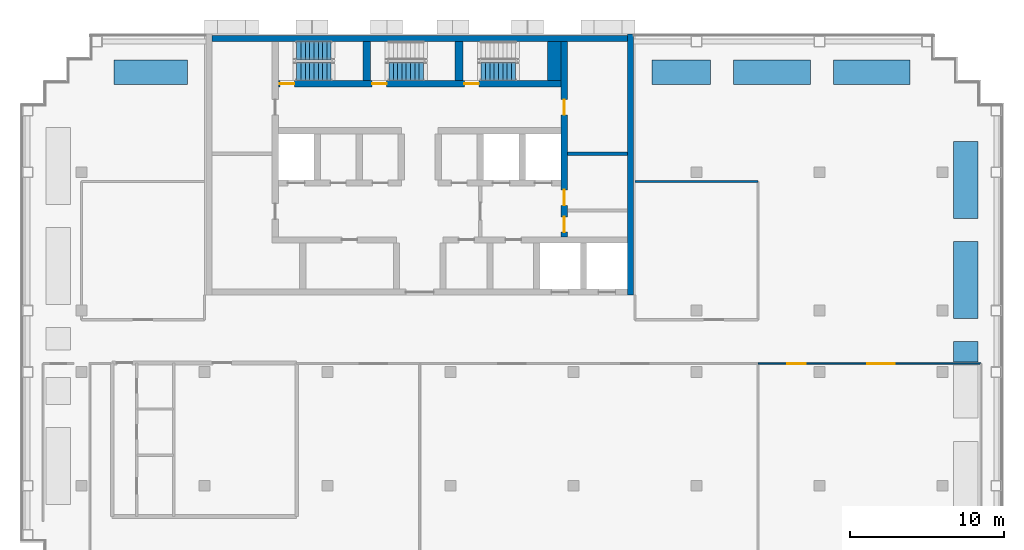
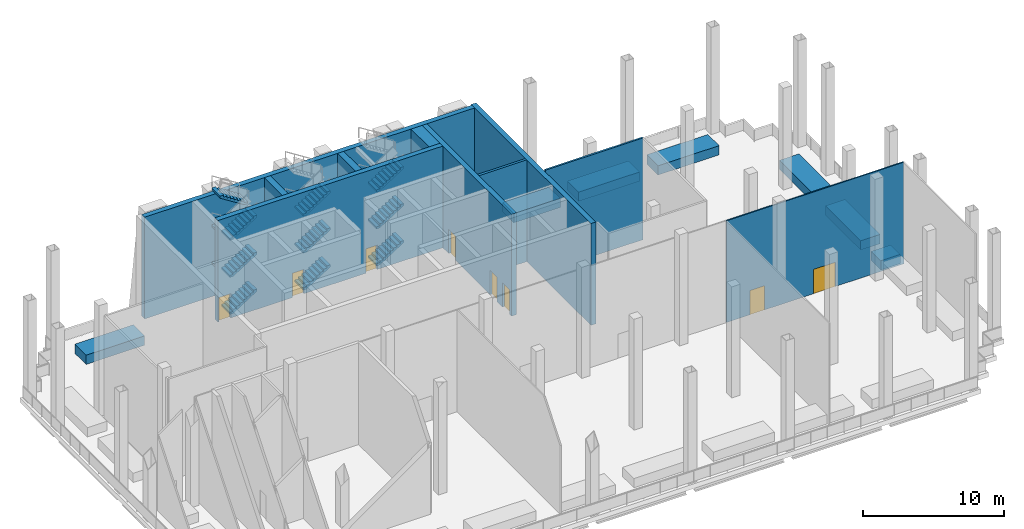
# One storey, part 4 of 9: 17 walls, 12 stair flights, 8 doors, 8 openings, 3 elements without a shape of their own.
"""IFC4 building model written with IfcOpenShell, lengths in metres."""

from ifc_helpers import new_model, si_unit, direction, frame, frame_2d, origin, place, context, subcontext, project, spatial, polyline, rectangle, outline, extrude, material, layer, layer_set, type_object, element, fill, aggregate, save


model = new_model("IFC4")

# Units and contexts
model_context = context("Model", 3, precision=1e-05, world=origin(), true_north=direction((0.0, 1.0)))
body_context = subcontext(model_context, "Body", "Model", "MODEL_VIEW")
ifc_project = project(units=[si_unit("LENGTHUNIT", "METRE"), si_unit("AREAUNIT", "SQUARE_METRE"), si_unit("VOLUMEUNIT", "CUBIC_METRE"), si_unit("PLANEANGLEUNIT", "RADIAN"), si_unit("MASSUNIT", "GRAM", prefix="KILO")], contexts=[model_context])

# Site, building, storey
site_placement = place(None, origin())
site = spatial("IfcSite", under=ifc_project, at=site_placement, CompositionType="ELEMENT")
building_placement = place(site_placement, origin())
building = spatial("IfcBuilding", under=site, at=building_placement, Name="Vidyagriha Tower", CompositionType="ELEMENT")
storey_placement = place(building_placement, frame((0.0, 0.0, 194.10009765625)))
storey = spatial("IfcBuildingStorey", under=building, at=storey_placement, Name="L51", CompositionType="ELEMENT", Elevation=194.10009765625)

# Walls
ifc_material_1 = material(Name="Precast concrete C40/50 with brick facing", Category="concrete")
ifc_layer_1 = layer(ifc_material_1, 1.60009765625)
ifc_layer_set_1 = layer_set([ifc_layer_1], Name="Precast concrete C40/50 with brick facing")
wall_type_1 = type_object("IfcWallType", Name="Brick planter box 1600", PredefinedType="STANDARD", material=ifc_layer_set_1)
for number, where, z_axis, x_axis, name in (
    (1, (31.89990234375, 17.5, 0.0), (0.0, 0.0, 1.0), (-1.0, 0.0, 0.0), "PLANTER L51 1"),
    (2, (25.39990234375, 17.5, 0.0), (0.0, 0.0, 1.0), (-1.0, 0.0, 0.0), "PLANTER L51 2"),
):
    element("IfcWall", number, at=place(storey_placement, frame(where, z_axis=z_axis, x_axis=x_axis)), inside=storey, type_object=wall_type_1, Name=name, PredefinedType="STANDARD", context=body_context, shape_type="SweptSolid", body=[
        extrude(rectangle(XDim=5.0, YDim=1.60009765625, at=frame_2d((2.5, 0.0))), origin(), (0.0, 0.0, 1.0), 0.7998046875),
    ])
wall_1_placement = place(storey_placement, frame((18.89990234375, 17.5, 0.0), z_axis=(0.0, 0.0, 1.0), x_axis=(-1.0, 0.0, 0.0)))
element("IfcWall", 3, at=wall_1_placement, inside=storey, type_object=wall_type_1, Name="PLANTER L51 3", PredefinedType="STANDARD", context=body_context, shape_type="SweptSolid", body=[
    extrude(rectangle(XDim=3.7998046875, YDim=1.60009765625, at=frame_2d((1.89990234375, 0.0))), origin(), (0.0, 0.0, 1.0), 0.7998046875),
])
wall_2_placement = place(storey_placement, frame((-15.10009765625, 17.5, 0.0), z_axis=(0.0, 0.0, 1.0), x_axis=(-1.0, 0.0, 0.0)))
element("IfcWall", 4, at=wall_2_placement, inside=storey, type_object=wall_type_1, Name="PLANTER L51 4", PredefinedType="STANDARD", context=body_context, shape_type="SweptSolid", body=[
    extrude(rectangle(XDim=4.7998046875, YDim=1.60009765625, at=frame_2d((2.39990234375, 0.0))), origin(), (0.0, 0.0, 1.0), 0.7998046875),
])
for number, where, z_axis, x_axis, name in (
    (5, (35.5, 1.5, 0.0), (0.0, 0.0, 1.0), (0.0, 1.0, 0.0), "PLANTER L51 19"),
    (6, (35.5, 8.0, 0.0), (0.0, 0.0, 1.0), (0.0, 1.0, 0.0), "PLANTER L51 20"),
):
    element("IfcWall", number, at=place(storey_placement, frame(where, z_axis=z_axis, x_axis=x_axis)), inside=storey, type_object=wall_type_1, Name=name, PredefinedType="STANDARD", context=body_context, shape_type="SweptSolid", body=[
        extrude(rectangle(XDim=5.0, YDim=1.60009765625, at=frame_2d((2.5, 0.0))), origin(), (0.0, 0.0, 1.0), 0.7998046875),
    ])
wall_3_placement = place(storey_placement, frame((35.5, -1.35009765625, 0.0), z_axis=(0.0, 0.0, 1.0), x_axis=(0.0, 1.0, 0.0)))
element("IfcWall", 7, at=wall_3_placement, inside=storey, type_object=wall_type_1, Name="PLANTER L51 18", PredefinedType="STANDARD", context=body_context, shape_type="SweptSolid", body=[
    extrude(rectangle(XDim=1.35009765625, YDim=1.60009765625, at=frame_2d((0.675048828125, 0.0))), origin(), (0.0, 0.0, 1.0), 0.7998046875),
])
ifc_material_2 = material(Name="Concrete C60/75", Category="concrete")
ifc_layer_2 = layer(ifc_material_2, 0.39990234375)
ifc_layer_set_2 = layer_set([ifc_layer_2], Name="Concrete C60/75")
wall_type_2 = type_object("IfcWallType", Name="Core shear wall 400 mm", PredefinedType="SHEAR", material=ifc_layer_set_2)
wall_4_placement = place(storey_placement, frame((13.699951171875, 3.0, 0.0), z_axis=(0.0, 0.0, 1.0), x_axis=(0.0, 1.0, 0.0)))
element("IfcWall", 8, at=wall_4_placement, inside=storey, type_object=wall_type_2, Name="Core east wall", PredefinedType="SHEAR", context=body_context, shape_type="SweptSolid", body=[
    extrude(rectangle(XDim=17.0, YDim=0.39990234375, at=frame_2d((8.5, 0.0))), origin(), (0.0, 0.0, 1.0), 8.7998046875),
])
wall_5_placement = place(storey_placement, frame((-13.5, 19.699951171875, 0.0)))
element("IfcWall", 9, at=wall_5_placement, inside=storey, type_object=wall_type_2, Name="Core north wall", PredefinedType="SHEAR", context=body_context, shape_type="SweptSolid", body=[
    extrude(rectangle(XDim=27.0, YDim=0.39990234375, at=frame_2d((13.5, 0.0))), origin(), (0.0, 0.0, 1.0), 8.7998046875),
])

# Wall, openings, doors
wall_6_placement = place(storey_placement, frame((9.39990234375, 6.800048828125, 0.0), z_axis=(0.0, 0.0, 1.0), x_axis=(0.0, 1.0, 0.0)))
wall_6 = element("IfcWall", 10, at=wall_6_placement, inside=storey, type_object=wall_type_2, Name="Core east spine wall", PredefinedType="SHEAR", context=body_context, shape_type="SweptSolid", body=[
    extrude(rectangle(XDim=12.699951171875, YDim=0.39990234375, at=frame_2d((6.35009765625, 0.0))), origin(), (0.0, 0.0, 1.0), 8.7998046875),
])
opening_1_placement = place(wall_6_placement, frame((0.300048828125, 0.0, 0.0)))
opening_1 = element("IfcOpeningElement", 11, at=opening_1_placement, cuts=wall_6, Name="Opening D51-14", PredefinedType="OPENING", context=body_context, shape_type="SweptSolid", body=[
    extrude(rectangle(XDim=1.0, YDim=2.10009765625, at=frame_2d((0.5, 1.050048828125))), frame((0.0, 0.2099609375, 0.0), z_axis=(0.0, -1.0, 0.0), x_axis=(1.0, 0.0, 0.0)), (0.0, 0.0, 1.0), 0.419921875),
])
opening_2_placement = place(wall_6_placement, frame((2.050048828125, 0.0, 0.0)))
opening_2 = element("IfcOpeningElement", 12, at=opening_2_placement, cuts=wall_6, Name="Opening D51-15", PredefinedType="OPENING", context=body_context, shape_type="SweptSolid", body=[
    extrude(rectangle(XDim=1.0, YDim=2.10009765625, at=frame_2d((0.5, 1.050048828125))), frame((0.0, 0.2099609375, 0.0), z_axis=(0.0, -1.0, 0.0), x_axis=(1.0, 0.0, 0.0)), (0.0, 0.0, 1.0), 0.419921875),
])
opening_3_placement = place(wall_6_placement, frame((7.925048828125, 0.0, 0.0)))
opening_3 = element("IfcOpeningElement", 13, at=opening_3_placement, cuts=wall_6, Name="Opening D51-16", PredefinedType="OPENING", context=body_context, shape_type="SweptSolid", body=[
    extrude(rectangle(XDim=1.0, YDim=2.10009765625, at=frame_2d((0.5, 1.050048828125))), frame((0.0, 0.2099609375, 0.0), z_axis=(0.0, -1.0, 0.0), x_axis=(1.0, 0.0, 0.0)), (0.0, 0.0, 1.0), 0.419921875),
])
ifc_material_3 = material(Name="Hollow metal door leaf")
door_type_1 = type_object("IfcDoorType", Name="Core room door 1000 x 2100 mm EI 60", OperationType="NOTDEFINED", PredefinedType="DOOR", material=ifc_material_3)
door_1_placement = place(opening_1_placement, origin())
door_1 = element("IfcDoor", 14, at=door_1_placement, inside=storey, type_object=door_type_1, Name="Door Communications Room 51.E1", OperationType="SINGLE_SWING_RIGHT", OverallHeight=2.10009765625, OverallWidth=1.0, PredefinedType="DOOR", context=body_context, shape_type="SweptSolid", body=[
    extrude(rectangle(XDim=1.0, YDim=2.10009765625, at=frame_2d((0.5, 1.050048828125))), frame((0.0, 0.02490234375, 0.0), z_axis=(0.0, -1.0, 0.0), x_axis=(1.0, 0.0, 0.0)), (0.0, 0.0, 1.0), 0.050048828125),
])
fill(opening_1, door_1)
door_2_placement = place(opening_2_placement, origin())
door_2 = element("IfcDoor", 15, at=door_2_placement, inside=storey, type_object=door_type_1, Name="Door Pressurisation Plant Room 51.E2", OperationType="SINGLE_SWING_LEFT", OverallHeight=2.10009765625, OverallWidth=1.0, PredefinedType="DOOR", context=body_context, shape_type="SweptSolid", body=[
    extrude(rectangle(XDim=1.0, YDim=2.10009765625, at=frame_2d((0.5, 1.050048828125))), frame((0.0, 0.02490234375, 0.0), z_axis=(0.0, -1.0, 0.0), x_axis=(1.0, 0.0, 0.0)), (0.0, 0.0, 1.0), 0.050048828125),
])
fill(opening_2, door_2)
door_3_placement = place(opening_3_placement, origin())
door_3 = element("IfcDoor", 16, at=door_3_placement, inside=storey, type_object=door_type_1, Name="Door Switchgear Room 51.E3", OperationType="SINGLE_SWING_LEFT", OverallHeight=2.10009765625, OverallWidth=1.0, PredefinedType="DOOR", context=body_context, shape_type="SweptSolid", body=[
    extrude(rectangle(XDim=1.0, YDim=2.10009765625, at=frame_2d((0.5, 1.050048828125))), frame((0.0, 0.02490234375, 0.0), z_axis=(0.0, -1.0, 0.0), x_axis=(1.0, 0.0, 0.0)), (0.0, 0.0, 1.0), 0.050048828125),
])
fill(opening_3, door_3)

wall_7_placement = place(storey_placement, frame((-9.199951171875, 16.75, 0.0)))
wall_7 = element("IfcWall", 17, at=wall_7_placement, inside=storey, type_object=wall_type_2, Name="Stair front wall", PredefinedType="SHEAR", context=body_context, shape_type="SweptSolid", body=[
    extrude(rectangle(XDim=18.39990234375, YDim=0.39990234375, at=frame_2d((9.199951171875, 0.0))), origin(), (0.0, 0.0, 1.0), 8.7998046875),
])
opening_4_placement = place(wall_7_placement, frame((0.10009765625, 0.0, 0.0)))
opening_4 = element("IfcOpeningElement", 18, at=opening_4_placement, cuts=wall_7, Name="Opening D51-09", PredefinedType="OPENING", context=body_context, shape_type="SweptSolid", body=[
    extrude(rectangle(XDim=0.949951171875, YDim=2.10009765625, at=frame_2d((0.47509765625, 1.050048828125))), frame((0.0, 0.2099609375, 0.0), z_axis=(0.0, -1.0, 0.0), x_axis=(1.0, 0.0, 0.0)), (0.0, 0.0, 1.0), 0.419921875),
])
opening_5_placement = place(wall_7_placement, frame((6.10009765625, 0.0, 0.0)))
opening_5 = element("IfcOpeningElement", 19, at=opening_5_placement, cuts=wall_7, Name="Opening D51-10", PredefinedType="OPENING", context=body_context, shape_type="SweptSolid", body=[
    extrude(rectangle(XDim=0.949951171875, YDim=2.10009765625, at=frame_2d((0.47509765625, 1.050048828125))), frame((0.0, 0.2099609375, 0.0), z_axis=(0.0, -1.0, 0.0), x_axis=(1.0, 0.0, 0.0)), (0.0, 0.0, 1.0), 0.419921875),
])
opening_6_placement = place(wall_7_placement, frame((12.10009765625, 0.0, 0.0)))
opening_6 = element("IfcOpeningElement", 20, at=opening_6_placement, cuts=wall_7, Name="Opening D51-11", PredefinedType="OPENING", context=body_context, shape_type="SweptSolid", body=[
    extrude(rectangle(XDim=0.949951171875, YDim=2.10009765625, at=frame_2d((0.47509765625, 1.050048828125))), frame((0.0, 0.2099609375, 0.0), z_axis=(0.0, -1.0, 0.0), x_axis=(1.0, 0.0, 0.0)), (0.0, 0.0, 1.0), 0.419921875),
])
ifc_material_4 = material(Name="Hollow metal door leaf")
door_type_2 = type_object("IfcDoorType", Name="Exit stair door 950 x 2100 mm EI 90", OperationType="NOTDEFINED", PredefinedType="DOOR", material=ifc_material_4)
door_4_placement = place(opening_4_placement, origin())
door_4 = element("IfcDoor", 21, at=door_4_placement, inside=storey, type_object=door_type_2, Name="Stair door ST1 L51", OperationType="SINGLE_SWING_LEFT", OverallHeight=2.10009765625, OverallWidth=0.949951171875, PredefinedType="DOOR", context=body_context, shape_type="SweptSolid", body=[
    extrude(rectangle(XDim=0.949951171875, YDim=2.10009765625, at=frame_2d((0.47509765625, 1.050048828125))), frame((0.0, 0.02490234375, 0.0), z_axis=(0.0, -1.0, 0.0), x_axis=(1.0, 0.0, 0.0)), (0.0, 0.0, 1.0), 0.050048828125),
])
fill(opening_4, door_4)
door_5_placement = place(opening_5_placement, origin())
door_5 = element("IfcDoor", 22, at=door_5_placement, inside=storey, type_object=door_type_2, Name="Stair door ST2 L51", OperationType="SINGLE_SWING_LEFT", OverallHeight=2.10009765625, OverallWidth=0.949951171875, PredefinedType="DOOR", context=body_context, shape_type="SweptSolid", body=[
    extrude(rectangle(XDim=0.949951171875, YDim=2.10009765625, at=frame_2d((0.47509765625, 1.050048828125))), frame((0.0, 0.02490234375, 0.0), z_axis=(0.0, -1.0, 0.0), x_axis=(1.0, 0.0, 0.0)), (0.0, 0.0, 1.0), 0.050048828125),
])
fill(opening_5, door_5)
door_6_placement = place(opening_6_placement, origin())
door_6 = element("IfcDoor", 23, at=door_6_placement, inside=storey, type_object=door_type_2, Name="Stair door ST3 L51", OperationType="SINGLE_SWING_LEFT", OverallHeight=2.10009765625, OverallWidth=0.949951171875, PredefinedType="DOOR", context=body_context, shape_type="SweptSolid", body=[
    extrude(rectangle(XDim=0.949951171875, YDim=2.10009765625, at=frame_2d((0.47509765625, 1.050048828125))), frame((0.0, 0.02490234375, 0.0), z_axis=(0.0, -1.0, 0.0), x_axis=(1.0, 0.0, 0.0)), (0.0, 0.0, 1.0), 0.050048828125),
])
fill(opening_6, door_6)

# Walls
ifc_material_5 = material(Name="Concrete C60/75", Category="concrete")
ifc_layer_3 = layer(ifc_material_5, 0.5)
ifc_layer_set_3 = layer_set([ifc_layer_3], Name="Concrete C60/75")
wall_type_3 = type_object("IfcWallType", Name="Core shear wall 500 mm", PredefinedType="SHEAR", material=ifc_layer_set_3)
for number, where, z_axis, x_axis, name in (
    (24, (-3.449951171875, 16.949951171875, 0.0), (0.0, 0.0, 1.0), (0.0, 1.0, 0.0), "Stair partition wall 1"),
    (25, (2.550048828125, 16.949951171875, 0.0), (0.0, 0.0, 1.0), (0.0, 1.0, 0.0), "Stair partition wall 2"),
):
    element("IfcWall", number, at=place(storey_placement, frame(where, z_axis=z_axis, x_axis=x_axis)), inside=storey, type_object=wall_type_3, Name=name, PredefinedType="SHEAR", context=body_context, shape_type="SweptSolid", body=[
        extrude(rectangle(XDim=2.550048828125, YDim=0.5, at=frame_2d((1.27490234375, 0.0))), origin(), (0.0, 0.0, 1.0), 8.7998046875),
    ])
ifc_material_6 = material(Name="Concrete C60/75", Category="concrete")
ifc_layer_4 = layer(ifc_material_6, 0.89990234375)
ifc_layer_set_4 = layer_set([ifc_layer_4], Name="Concrete C60/75")
wall_type_4 = type_object("IfcWallType", Name="Core shear wall 900 mm", PredefinedType="SHEAR", material=ifc_layer_set_4)
wall_8_placement = place(storey_placement, frame((8.75, 16.949951171875, 0.0), z_axis=(0.0, 0.0, 1.0), x_axis=(0.0, 1.0, 0.0)))
element("IfcWall", 26, at=wall_8_placement, inside=storey, type_object=wall_type_4, Name="Stair end wall", PredefinedType="SHEAR", context=body_context, shape_type="SweptSolid", body=[
    extrude(rectangle(XDim=2.550048828125, YDim=0.89990234375, at=frame_2d((1.27490234375, 0.0))), origin(), (0.0, 0.0, 1.0), 8.7998046875),
])

# Wall, openings, doors
ifc_material_7 = material(Name="Glass clear low-iron", Category="glass")
ifc_layer_5 = layer(ifc_material_7, 0.10009765625)
ifc_layer_set_5 = layer_set([ifc_layer_5], Name="Glass clear low-iron")
wall_type_5 = type_object("IfcWallType", Name="Glazed partition 100", PredefinedType="PARTITIONING", material=ifc_layer_set_5)
wall_9_placement = place(storey_placement, frame((22.0, -1.449951171875, 0.0)))
wall_9 = element("IfcWall", 27, at=wall_9_placement, inside=storey, type_object=wall_type_5, Name="Wall all-L51-w028", PredefinedType="PARTITIONING", context=body_context, shape_type="SweptSolid", body=[
    extrude(rectangle(XDim=14.5, YDim=0.10009765625, at=frame_2d((7.25, 0.0))), origin(), (0.0, 0.0, 1.0), 8.7998046875),
])
opening_7_placement = place(wall_9_placement, frame((1.89990234375, 0.0, 0.0)))
opening_7 = element("IfcOpeningElement", 28, at=opening_7_placement, cuts=wall_9, Name="Opening D51-28", PredefinedType="OPENING", context=body_context, shape_type="SweptSolid", body=[
    extrude(rectangle(XDim=1.199951171875, YDim=2.10009765625, at=frame_2d((0.60009765625, 1.050048828125))), frame((0.0, 0.06005859375, 0.0), z_axis=(0.0, -1.0, 0.0), x_axis=(1.0, 0.0, 0.0)), (0.0, 0.0, 1.0), 0.1201171875),
])
opening_8_placement = place(wall_9_placement, frame((7.10009765625, 0.0, 0.0)))
opening_8 = element("IfcOpeningElement", 29, at=opening_8_placement, cuts=wall_9, Name="Opening D51-29", PredefinedType="OPENING", context=body_context, shape_type="SweptSolid", body=[
    extrude(rectangle(XDim=1.800048828125, YDim=2.10009765625, at=frame_2d((0.89990234375, 1.050048828125))), frame((0.0, 0.06005859375, 0.0), z_axis=(0.0, -1.0, 0.0), x_axis=(1.0, 0.0, 0.0)), (0.0, 0.0, 1.0), 0.1201171875),
])
ifc_material_8 = material(Name="Timber door leaf", Category="wood")
door_type_3 = type_object("IfcDoorType", Name="Room door 1200x2100", OperationType="NOTDEFINED", PredefinedType="DOOR", material=ifc_material_8)
door_7_placement = place(opening_7_placement, origin())
door_7 = element("IfcDoor", 30, at=door_7_placement, inside=storey, type_object=door_type_3, Name="Door D51-28", OperationType="SINGLE_SWING_LEFT", OverallHeight=2.10009765625, OverallWidth=1.199951171875, PredefinedType="DOOR", context=body_context, shape_type="SweptSolid", body=[
    extrude(rectangle(XDim=1.199951171875, YDim=2.10009765625, at=frame_2d((0.60009765625, 1.050048828125))), frame((0.0, 0.02490234375, 0.0), z_axis=(0.0, -1.0, 0.0), x_axis=(1.0, 0.0, 0.0)), (0.0, 0.0, 1.0), 0.050048828125),
])
fill(opening_7, door_7)
ifc_material_9 = material(Name="Timber door leaf", Category="wood")
door_type_4 = type_object("IfcDoorType", Name="Room door 1800x2100", OperationType="NOTDEFINED", PredefinedType="DOOR", material=ifc_material_9)
door_8_placement = place(opening_8_placement, origin())
door_8 = element("IfcDoor", 31, at=door_8_placement, inside=storey, type_object=door_type_4, Name="Door D51-29", OperationType="DOUBLE_DOOR_SINGLE_SWING", OverallHeight=2.10009765625, OverallWidth=1.800048828125, PredefinedType="DOOR", context=body_context, shape_type="SweptSolid", body=[
    extrude(rectangle(XDim=1.800048828125, YDim=2.10009765625, at=frame_2d((0.89990234375, 1.050048828125))), frame((0.0, 0.02490234375, 0.0), z_axis=(0.0, -1.0, 0.0), x_axis=(1.0, 0.0, 0.0)), (0.0, 0.0, 1.0), 0.050048828125),
])
fill(opening_8, door_8)

# Walls
ifc_material_10 = material(Name="Gypsum board partition")
ifc_layer_6 = layer(ifc_material_10, 0.14990234375)
ifc_layer_set_6 = layer_set([ifc_layer_6], Name="Gypsum board partition")
wall_type_6 = type_object("IfcWallType", Name="Gypsum board partition 150", PredefinedType="PARTITIONING", material=ifc_layer_set_6)
wall_10_placement = place(storey_placement, frame((22.0, 10.39990234375, 0.0), z_axis=(0.0, 0.0, 1.0), x_axis=(-1.0, 0.0, 0.0)))
element("IfcWall", 32, at=wall_10_placement, inside=storey, type_object=wall_type_6, Name="Wall all-L51-w020", PredefinedType="PARTITIONING", context=body_context, shape_type="SweptSolid", body=[
    extrude(rectangle(XDim=8.0, YDim=0.14990234375, at=frame_2d((4.0, 0.0))), origin(), (0.0, 0.0, 1.0), 8.7998046875),
])
ifc_material_11 = material(Name="Blockwork 15 MPa", Category="masonry")
ifc_layer_7 = layer(ifc_material_11, 0.199951171875)
ifc_layer_set_7 = layer_set([ifc_layer_7], Name="Blockwork 15 MPa")
wall_type_7 = type_object("IfcWallType", Name="Service room partition 200 mm", PredefinedType="PARTITIONING", material=ifc_layer_set_7)
wall_11_placement = place(storey_placement, frame((9.60009765625, 12.199951171875, 0.0)))
element("IfcWall", 33, at=wall_11_placement, inside=storey, type_object=wall_type_7, Name="Core room partition E2", PredefinedType="PARTITIONING", context=body_context, shape_type="SweptSolid", body=[
    extrude(rectangle(XDim=3.89990234375, YDim=0.199951171875, at=frame_2d((1.949951171875, 0.0))), origin(), (0.0, 0.0, 1.0), 8.7998046875),
])

# Stair, stair flights
ifc_material_12 = material(Name="Concrete C40/50", Category="concrete")
stair_type = type_object("IfcStairType", Name="Exit stair, half-turn, precast flights", PredefinedType="HALF_TURN_STAIR", material=ifc_material_12)
stair_1_placement = place(storey_placement, origin())
stair_1 = element("IfcStair", 34, at=stair_1_placement, inside=storey, type_object=stair_type, Name="L51 Exit Stair ST1", PredefinedType="HALF_TURN_STAIR")
ifc_material_13 = material(Name="Precast concrete C40/50", Category="concrete")
stair_flight_type = type_object("IfcStairFlightType", Name="Exit stair flight 1200 mm, precast", PredefinedType="STRAIGHT", material=ifc_material_13)
stair_flight_1_placement = place(storey_placement, frame((-8.0, 17.550048828125, 0.0)))
stair_flight_1 = element("IfcStairFlight", 35, at=stair_flight_1_placement, type_object=stair_flight_type, Name="ST1 flight 1", NumberOfRisers=9, NumberOfTreads=8, PredefinedType="STRAIGHT", RiserHeight=0.177777778, TreadLength=0.28, context=body_context, shape_type="SweptSolid", body=[
    extrude(outline(polyline([(0.0, 0.0), (0.0, 0.177734375), (0.280029296875, 0.177734375), (0.280029296875, 0.35546875), (0.56005859375, 0.35546875), (0.56005859375, 0.533447265625), (0.840087890625, 0.533447265625), (0.840087890625, 0.711181640625), (1.1201171875, 0.711181640625), (1.1201171875, 0.888916015625), (1.39990234375, 0.888916015625), (1.39990234375, 1.066650390625), (1.679931640625, 1.066650390625), (1.679931640625, 1.244384765625), (1.9599609375, 1.244384765625), (1.9599609375, 1.422119140625), (2.239990234375, 1.422119140625), (2.239990234375, 1.60009765625), (2.239990234375, 1.24462890625), (0.27978515625, 0.0), (0.0, 0.0)])), frame((0.0, 0.60009765625, 0.0), z_axis=(0.0, -1.0, 0.0), x_axis=(1.0, 0.0, 0.0)), (0.0, 0.0, 1.0), 1.199951171875),
])
stair_flight_2_placement = place(storey_placement, frame((-5.760009765625, 18.89990234375, 1.599853515625), z_axis=(0.0, 0.0, 1.0), x_axis=(-1.0, 0.0, 0.0)))
stair_flight_2 = element("IfcStairFlight", 36, at=stair_flight_2_placement, type_object=stair_flight_type, Name="ST1 flight 2", NumberOfRisers=9, NumberOfTreads=8, PredefinedType="STRAIGHT", RiserHeight=0.177777778, TreadLength=0.28, context=body_context, shape_type="SweptSolid", body=[
    extrude(outline(polyline([(0.0, 0.0), (0.0, 0.177734375), (0.280029296875, 0.177734375), (0.280029296875, 0.35546875), (0.56005859375, 0.35546875), (0.56005859375, 0.533447265625), (0.840087890625, 0.533447265625), (0.840087890625, 0.711181640625), (1.1201171875, 0.711181640625), (1.1201171875, 0.888916015625), (1.39990234375, 0.888916015625), (1.39990234375, 1.066650390625), (1.679931640625, 1.066650390625), (1.679931640625, 1.244384765625), (1.9599609375, 1.244384765625), (1.9599609375, 1.422119140625), (2.239990234375, 1.422119140625), (2.239990234375, 1.60009765625), (2.239990234375, 1.24462890625), (0.27978515625, 0.0), (0.0, 0.0)])), frame((0.0, 0.60009765625, 0.0), z_axis=(0.0, -1.0, 0.0), x_axis=(1.0, 0.0, 0.0)), (0.0, 0.0, 1.0), 1.199951171875),
])
stair_flight_3_placement = place(storey_placement, frame((-8.0, 17.550048828125, 3.199951171875)))
stair_flight_3 = element("IfcStairFlight", 37, at=stair_flight_3_placement, type_object=stair_flight_type, Name="ST1 flight 3", NumberOfRisers=9, NumberOfTreads=8, PredefinedType="STRAIGHT", RiserHeight=0.177777778, TreadLength=0.28, context=body_context, shape_type="SweptSolid", body=[
    extrude(outline(polyline([(0.0, 0.0), (0.0, 0.177734375), (0.280029296875, 0.177734375), (0.280029296875, 0.35546875), (0.56005859375, 0.35546875), (0.56005859375, 0.533447265625), (0.840087890625, 0.533447265625), (0.840087890625, 0.711181640625), (1.1201171875, 0.711181640625), (1.1201171875, 0.888916015625), (1.39990234375, 0.888916015625), (1.39990234375, 1.066650390625), (1.679931640625, 1.066650390625), (1.679931640625, 1.244384765625), (1.9599609375, 1.244384765625), (1.9599609375, 1.422119140625), (2.239990234375, 1.422119140625), (2.239990234375, 1.60009765625), (2.239990234375, 1.24462890625), (0.27978515625, 0.0), (0.0, 0.0)])), frame((0.0, 0.60009765625, 0.0), z_axis=(0.0, -1.0, 0.0), x_axis=(1.0, 0.0, 0.0)), (0.0, 0.0, 1.0), 1.199951171875),
])
stair_flight_4_placement = place(storey_placement, frame((-5.760009765625, 18.89990234375, 4.7998046875), z_axis=(0.0, 0.0, 1.0), x_axis=(-1.0, 0.0, 0.0)))
stair_flight_4 = element("IfcStairFlight", 38, at=stair_flight_4_placement, type_object=stair_flight_type, Name="ST1 flight 4", NumberOfRisers=9, NumberOfTreads=8, PredefinedType="STRAIGHT", RiserHeight=0.177777778, TreadLength=0.28, context=body_context, shape_type="SweptSolid", body=[
    extrude(outline(polyline([(0.0, 0.0), (0.0, 0.177734375), (0.280029296875, 0.177734375), (0.280029296875, 0.35546875), (0.56005859375, 0.35546875), (0.56005859375, 0.533447265625), (0.840087890625, 0.533447265625), (0.840087890625, 0.711181640625), (1.1201171875, 0.711181640625), (1.1201171875, 0.888916015625), (1.39990234375, 0.888916015625), (1.39990234375, 1.066650390625), (1.679931640625, 1.066650390625), (1.679931640625, 1.244384765625), (1.9599609375, 1.244384765625), (1.9599609375, 1.422119140625), (2.239990234375, 1.422119140625), (2.239990234375, 1.60009765625), (2.239990234375, 1.24462890625), (0.27978515625, 0.0), (0.0, 0.0)])), frame((0.0, 0.60009765625, 0.0), z_axis=(0.0, -1.0, 0.0), x_axis=(1.0, 0.0, 0.0)), (0.0, 0.0, 1.0), 1.199951171875),
])
stair_flight_5_placement = place(storey_placement, frame((-8.0, 17.550048828125, 6.39990234375)))
stair_flight_5 = element("IfcStairFlight", 39, at=stair_flight_5_placement, type_object=stair_flight_type, Name="ST1 flight 5", NumberOfRisers=9, NumberOfTreads=8, PredefinedType="STRAIGHT", RiserHeight=0.177777778, TreadLength=0.28, context=body_context, shape_type="SweptSolid", body=[
    extrude(outline(polyline([(0.0, 0.0), (0.0, 0.177734375), (0.280029296875, 0.177734375), (0.280029296875, 0.35546875), (0.56005859375, 0.35546875), (0.56005859375, 0.533447265625), (0.840087890625, 0.533447265625), (0.840087890625, 0.711181640625), (1.1201171875, 0.711181640625), (1.1201171875, 0.888916015625), (1.39990234375, 0.888916015625), (1.39990234375, 1.066650390625), (1.679931640625, 1.066650390625), (1.679931640625, 1.244384765625), (1.9599609375, 1.244384765625), (1.9599609375, 1.422119140625), (2.239990234375, 1.422119140625), (2.239990234375, 1.60009765625), (2.239990234375, 1.24462890625), (0.27978515625, 0.0), (0.0, 0.0)])), frame((0.0, 0.60009765625, 0.0), z_axis=(0.0, -1.0, 0.0), x_axis=(1.0, 0.0, 0.0)), (0.0, 0.0, 1.0), 1.199951171875),
])
stair_flight_6_placement = place(storey_placement, frame((-5.760009765625, 18.89990234375, 8.0), z_axis=(0.0, 0.0, 1.0), x_axis=(-1.0, 0.0, 0.0)))
stair_flight_6 = element("IfcStairFlight", 40, at=stair_flight_6_placement, type_object=stair_flight_type, Name="ST1 flight 6", NumberOfRisers=9, NumberOfTreads=8, PredefinedType="STRAIGHT", RiserHeight=0.177777778, TreadLength=0.28, context=body_context, shape_type="SweptSolid", body=[
    extrude(outline(polyline([(0.0, 0.0), (0.0, 0.177734375), (0.280029296875, 0.177734375), (0.280029296875, 0.35546875), (0.56005859375, 0.35546875), (0.56005859375, 0.533447265625), (0.840087890625, 0.533447265625), (0.840087890625, 0.711181640625), (1.1201171875, 0.711181640625), (1.1201171875, 0.888916015625), (1.39990234375, 0.888916015625), (1.39990234375, 1.066650390625), (1.679931640625, 1.066650390625), (1.679931640625, 1.244384765625), (1.9599609375, 1.244384765625), (1.9599609375, 1.422119140625), (2.239990234375, 1.422119140625), (2.239990234375, 1.60009765625), (2.239990234375, 1.24462890625), (0.27978515625, 0.0), (0.0, 0.0)])), frame((0.0, 0.60009765625, 0.0), z_axis=(0.0, -1.0, 0.0), x_axis=(1.0, 0.0, 0.0)), (0.0, 0.0, 1.0), 1.199951171875),
])
aggregate(stair_1, [stair_flight_1, stair_flight_2, stair_flight_3, stair_flight_4, stair_flight_5, stair_flight_6])

stair_2_placement = place(storey_placement, origin())
stair_2 = element("IfcStair", 41, at=stair_2_placement, inside=storey, type_object=stair_type, Name="L51 Exit Stair ST2", PredefinedType="HALF_TURN_STAIR")
stair_flight_7_placement = place(storey_placement, frame((-2.0, 17.550048828125, 0.0)))
stair_flight_7 = element("IfcStairFlight", 42, at=stair_flight_7_placement, type_object=stair_flight_type, Name="ST2 flight 1", NumberOfRisers=9, NumberOfTreads=8, PredefinedType="STRAIGHT", RiserHeight=0.177777778, TreadLength=0.28, context=body_context, shape_type="SweptSolid", body=[
    extrude(outline(polyline([(0.0, 0.0), (0.0, 0.177734375), (0.280029296875, 0.177734375), (0.280029296875, 0.35546875), (0.56005859375, 0.35546875), (0.56005859375, 0.533447265625), (0.840087890625, 0.533447265625), (0.840087890625, 0.711181640625), (1.1201171875, 0.711181640625), (1.1201171875, 0.888916015625), (1.39990234375, 0.888916015625), (1.39990234375, 1.066650390625), (1.679931640625, 1.066650390625), (1.679931640625, 1.244384765625), (1.9599609375, 1.244384765625), (1.9599609375, 1.422119140625), (2.239990234375, 1.422119140625), (2.239990234375, 1.60009765625), (2.239990234375, 1.24462890625), (0.27978515625, 0.0), (0.0, 0.0)])), frame((0.0, 0.60009765625, 0.0), z_axis=(0.0, -1.0, 0.0), x_axis=(1.0, 0.0, 0.0)), (0.0, 0.0, 1.0), 1.199951171875),
])
stair_flight_8_placement = place(storey_placement, frame((-2.0, 17.550048828125, 3.199951171875)))
stair_flight_8 = element("IfcStairFlight", 43, at=stair_flight_8_placement, type_object=stair_flight_type, Name="ST2 flight 3", NumberOfRisers=9, NumberOfTreads=8, PredefinedType="STRAIGHT", RiserHeight=0.177777778, TreadLength=0.28, context=body_context, shape_type="SweptSolid", body=[
    extrude(outline(polyline([(0.0, 0.0), (0.0, 0.177734375), (0.280029296875, 0.177734375), (0.280029296875, 0.35546875), (0.56005859375, 0.35546875), (0.56005859375, 0.533447265625), (0.840087890625, 0.533447265625), (0.840087890625, 0.711181640625), (1.1201171875, 0.711181640625), (1.1201171875, 0.888916015625), (1.39990234375, 0.888916015625), (1.39990234375, 1.066650390625), (1.679931640625, 1.066650390625), (1.679931640625, 1.244384765625), (1.9599609375, 1.244384765625), (1.9599609375, 1.422119140625), (2.239990234375, 1.422119140625), (2.239990234375, 1.60009765625), (2.239990234375, 1.24462890625), (0.27978515625, 0.0), (0.0, 0.0)])), frame((0.0, 0.60009765625, 0.0), z_axis=(0.0, -1.0, 0.0), x_axis=(1.0, 0.0, 0.0)), (0.0, 0.0, 1.0), 1.199951171875),
])
stair_flight_9_placement = place(storey_placement, frame((-2.0, 17.550048828125, 6.39990234375)))
stair_flight_9 = element("IfcStairFlight", 44, at=stair_flight_9_placement, type_object=stair_flight_type, Name="ST2 flight 5", NumberOfRisers=9, NumberOfTreads=8, PredefinedType="STRAIGHT", RiserHeight=0.177777778, TreadLength=0.28, context=body_context, shape_type="SweptSolid", body=[
    extrude(outline(polyline([(0.0, 0.0), (0.0, 0.177734375), (0.280029296875, 0.177734375), (0.280029296875, 0.35546875), (0.56005859375, 0.35546875), (0.56005859375, 0.533447265625), (0.840087890625, 0.533447265625), (0.840087890625, 0.711181640625), (1.1201171875, 0.711181640625), (1.1201171875, 0.888916015625), (1.39990234375, 0.888916015625), (1.39990234375, 1.066650390625), (1.679931640625, 1.066650390625), (1.679931640625, 1.244384765625), (1.9599609375, 1.244384765625), (1.9599609375, 1.422119140625), (2.239990234375, 1.422119140625), (2.239990234375, 1.60009765625), (2.239990234375, 1.24462890625), (0.27978515625, 0.0), (0.0, 0.0)])), frame((0.0, 0.60009765625, 0.0), z_axis=(0.0, -1.0, 0.0), x_axis=(1.0, 0.0, 0.0)), (0.0, 0.0, 1.0), 1.199951171875),
])
aggregate(stair_2, [stair_flight_7, stair_flight_8, stair_flight_9])

stair_3_placement = place(storey_placement, origin())
stair_3 = element("IfcStair", 45, at=stair_3_placement, inside=storey, type_object=stair_type, Name="L51 Exit Stair ST3", PredefinedType="HALF_TURN_STAIR")
stair_flight_10_placement = place(storey_placement, frame((4.0, 17.550048828125, 0.0)))
stair_flight_10 = element("IfcStairFlight", 46, at=stair_flight_10_placement, type_object=stair_flight_type, Name="ST3 flight 1", NumberOfRisers=9, NumberOfTreads=8, PredefinedType="STRAIGHT", RiserHeight=0.177777778, TreadLength=0.28, context=body_context, shape_type="SweptSolid", body=[
    extrude(outline(polyline([(0.0, 0.0), (0.0, 0.177734375), (0.280029296875, 0.177734375), (0.280029296875, 0.35546875), (0.56005859375, 0.35546875), (0.56005859375, 0.533447265625), (0.840087890625, 0.533447265625), (0.840087890625, 0.711181640625), (1.1201171875, 0.711181640625), (1.1201171875, 0.888916015625), (1.39990234375, 0.888916015625), (1.39990234375, 1.066650390625), (1.679931640625, 1.066650390625), (1.679931640625, 1.244384765625), (1.9599609375, 1.244384765625), (1.9599609375, 1.422119140625), (2.239990234375, 1.422119140625), (2.239990234375, 1.60009765625), (2.239990234375, 1.24462890625), (0.27978515625, 0.0), (0.0, 0.0)])), frame((0.0, 0.60009765625, 0.0), z_axis=(0.0, -1.0, 0.0), x_axis=(1.0, 0.0, 0.0)), (0.0, 0.0, 1.0), 1.199951171875),
])
stair_flight_11_placement = place(storey_placement, frame((4.0, 17.550048828125, 3.199951171875)))
stair_flight_11 = element("IfcStairFlight", 47, at=stair_flight_11_placement, type_object=stair_flight_type, Name="ST3 flight 3", NumberOfRisers=9, NumberOfTreads=8, PredefinedType="STRAIGHT", RiserHeight=0.177777778, TreadLength=0.28, context=body_context, shape_type="SweptSolid", body=[
    extrude(outline(polyline([(0.0, 0.0), (0.0, 0.177734375), (0.280029296875, 0.177734375), (0.280029296875, 0.35546875), (0.56005859375, 0.35546875), (0.56005859375, 0.533447265625), (0.840087890625, 0.533447265625), (0.840087890625, 0.711181640625), (1.1201171875, 0.711181640625), (1.1201171875, 0.888916015625), (1.39990234375, 0.888916015625), (1.39990234375, 1.066650390625), (1.679931640625, 1.066650390625), (1.679931640625, 1.244384765625), (1.9599609375, 1.244384765625), (1.9599609375, 1.422119140625), (2.239990234375, 1.422119140625), (2.239990234375, 1.60009765625), (2.239990234375, 1.24462890625), (0.27978515625, 0.0), (0.0, 0.0)])), frame((0.0, 0.60009765625, 0.0), z_axis=(0.0, -1.0, 0.0), x_axis=(1.0, 0.0, 0.0)), (0.0, 0.0, 1.0), 1.199951171875),
])
stair_flight_12_placement = place(storey_placement, frame((4.0, 17.550048828125, 6.39990234375)))
stair_flight_12 = element("IfcStairFlight", 48, at=stair_flight_12_placement, type_object=stair_flight_type, Name="ST3 flight 5", NumberOfRisers=9, NumberOfTreads=8, PredefinedType="STRAIGHT", RiserHeight=0.177777778, TreadLength=0.28, context=body_context, shape_type="SweptSolid", body=[
    extrude(outline(polyline([(0.0, 0.0), (0.0, 0.177734375), (0.280029296875, 0.177734375), (0.280029296875, 0.35546875), (0.56005859375, 0.35546875), (0.56005859375, 0.533447265625), (0.840087890625, 0.533447265625), (0.840087890625, 0.711181640625), (1.1201171875, 0.711181640625), (1.1201171875, 0.888916015625), (1.39990234375, 0.888916015625), (1.39990234375, 1.066650390625), (1.679931640625, 1.066650390625), (1.679931640625, 1.244384765625), (1.9599609375, 1.244384765625), (1.9599609375, 1.422119140625), (2.239990234375, 1.422119140625), (2.239990234375, 1.60009765625), (2.239990234375, 1.24462890625), (0.27978515625, 0.0), (0.0, 0.0)])), frame((0.0, 0.60009765625, 0.0), z_axis=(0.0, -1.0, 0.0), x_axis=(1.0, 0.0, 0.0)), (0.0, 0.0, 1.0), 1.199951171875),
])
aggregate(stair_3, [stair_flight_10, stair_flight_11, stair_flight_12])

save(model, "model.ifc")
